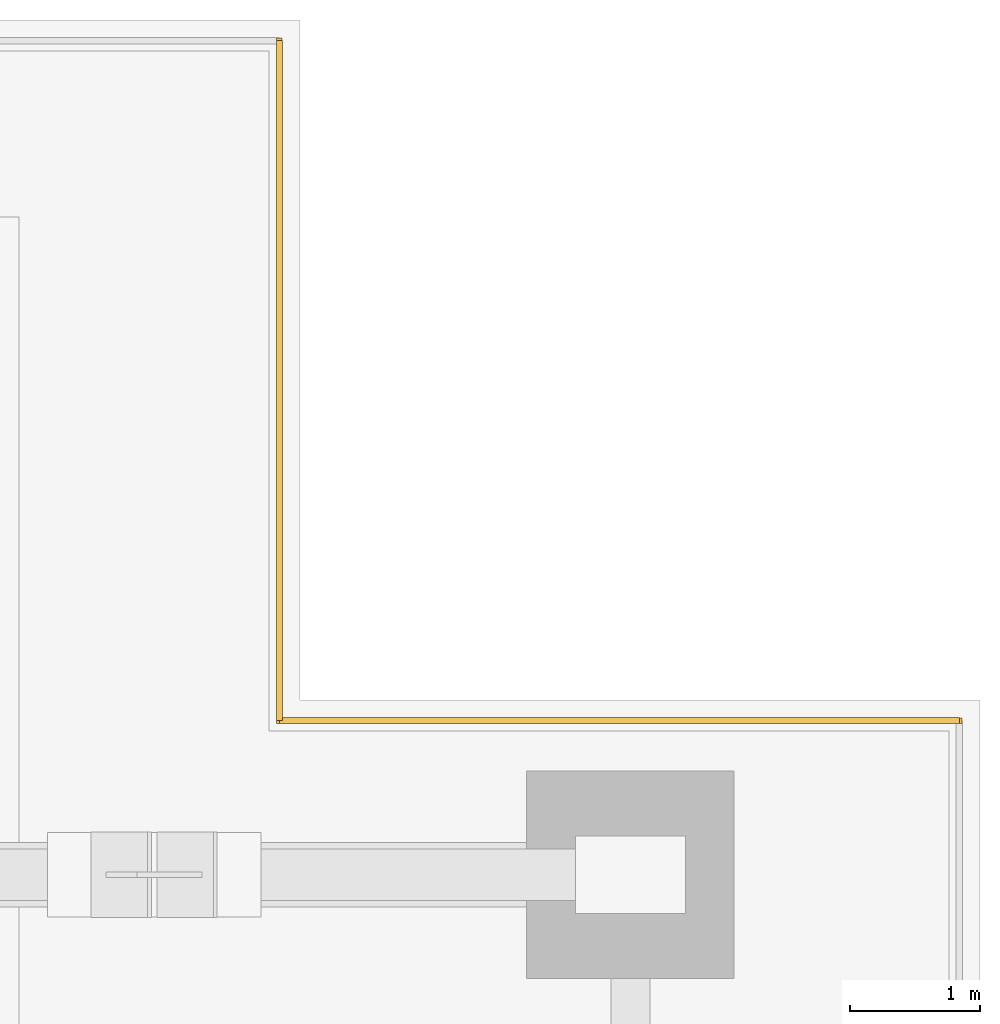
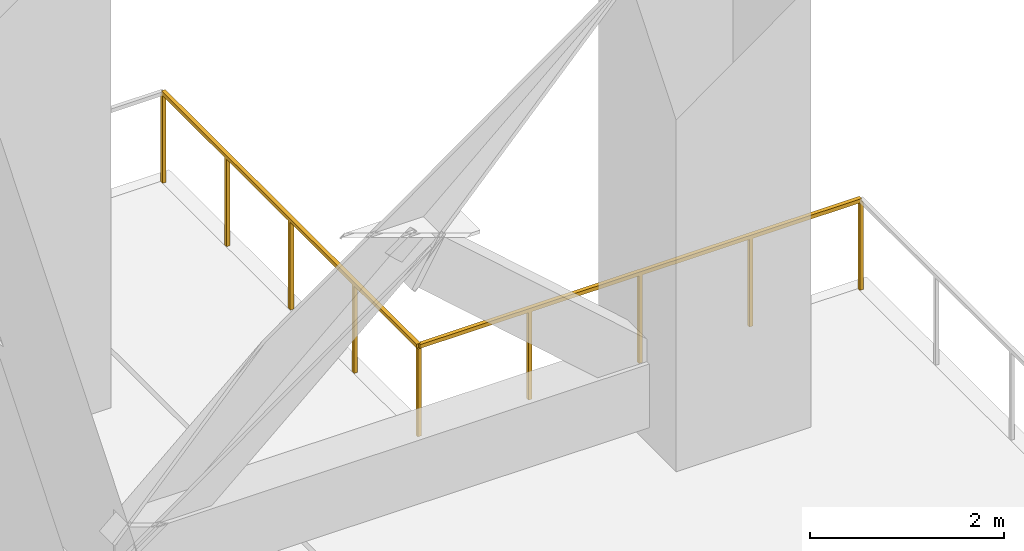
# One storey, part 8 of 9: 2 railings.
"""IFC4 building model written with IfcOpenShell, lengths in metres."""

import ifcopenshell
import ifcopenshell.guid

model = None  # the IFC model being written
_history = None  # IfcOwnerHistory: only IFC2X3 demands one
_inside = {}  # id of a spatial element -> (the spatial element, [elements in it])
_under = {}  # id of a project, library or spatial element -> (it, [spatial elements below it])
_declared = {}  # id of a project -> (the project, [libraries it declares])
_typed = {}  # id of a type object -> (the type object, [elements of that type])
_made_of = {}  # id of a material, layer set ... -> (it, [elements and type objects made of it])


def new_model(schema):
    """Start an empty IFC model of exactly this schema.

    Asked for "IFC4X3", IfcOpenShell would pick the latest addendum, in which some entities
    have other attributes; the version numbers below select the first issue.
    IFC2X3 requires an IfcOwnerHistory on every rooted entity: one is made here for all.
    """
    global model, _history
    if schema == "IFC4X3":
        model = ifcopenshell.file(schema_version=(4, 3, 0, 0))
    else:
        model = ifcopenshell.file(schema=schema)
    _inside.clear()
    _under.clear()
    _declared.clear()
    _typed.clear()
    _made_of.clear()
    _history = None
    if model.schema == "IFC2X3":
        org = make("IfcOrganization", Name="unknown")
        user = make(
            "IfcPersonAndOrganization",
            ThePerson=make("IfcPerson", FamilyName="unknown"),
            TheOrganization=org,
        )
        app = make(
            "IfcApplication",
            ApplicationDeveloper=org,
            Version="unknown",
            ApplicationFullName="unknown",
            ApplicationIdentifier="unknown",
        )
        _history = make(
            "IfcOwnerHistory",
            OwningUser=user,
            OwningApplication=app,
            ChangeAction="ADDED",
            CreationDate=0,
        )
    return model


def make(cls, **values):
    """One entity of the class cls with the attributes given. An attribute that is None is left unset."""
    return model.create_entity(
        cls, **{name: value for name, value in values.items() if value is not None}
    )


def rooted(cls, **values):
    """An entity with a GlobalId (a new one), such as an element, a storey or a relation."""
    return make(cls, GlobalId=ifcopenshell.guid.new(), OwnerHistory=_history, **values)


def si_unit(unit_type, name, prefix=None):
    """IfcSIUnit, for example si_unit("LENGTHUNIT", "METRE", prefix="MILLI")."""
    return make("IfcSIUnit", UnitType=unit_type, Prefix=prefix, Name=name)


def assignment(units):
    """IfcUnitAssignment: the units of a project."""
    return None if units is None else make("IfcUnitAssignment", Units=units)


def point(xyz):
    """IfcCartesianPoint."""
    return None if xyz is None else make("IfcCartesianPoint", Coordinates=xyz)


def direction(xyz):
    """IfcDirection."""
    return None if xyz is None else make("IfcDirection", DirectionRatios=xyz)


def frame(location, z_axis=None, x_axis=None):
    """IfcAxis2Placement3D, a coordinate frame: its origin and axes. An axis left out is left unset."""
    return make(
        "IfcAxis2Placement3D",
        Location=point(location),
        Axis=direction(z_axis),
        RefDirection=direction(x_axis),
    )


def frame_2d(location, x_axis=None):
    """IfcAxis2Placement2D, a coordinate frame in the plane: its origin and x axis."""
    return make(
        "IfcAxis2Placement2D", Location=point(location), RefDirection=direction(x_axis)
    )


def origin():
    """The frame at (0, 0, 0) with its axes left unset."""
    return frame((0.0, 0.0, 0.0))


def origin_2d():
    """The frame at (0, 0) in the plane with its x axis left unset."""
    return frame_2d((0.0, 0.0))


def place(relative_to, where):
    """IfcLocalPlacement: puts the frame where relative to a parent placement (None: the world)."""
    return make(
        "IfcLocalPlacement", PlacementRelTo=relative_to, RelativePlacement=where
    )


def context(
    kind, dimensions, precision=None, world=None, true_north=None, identifier=None
):
    """IfcGeometricRepresentationContext, for example the 3D "Model" context."""
    return make(
        "IfcGeometricRepresentationContext",
        ContextIdentifier=identifier,
        ContextType=kind,
        CoordinateSpaceDimension=dimensions,
        Precision=precision,
        WorldCoordinateSystem=world,
        TrueNorth=true_north,
    )


def subcontext(parent, identifier, kind, view, scale=None):
    """IfcGeometricRepresentationSubContext, for example "Body" below "Model"."""
    return make(
        "IfcGeometricRepresentationSubContext",
        ContextIdentifier=identifier,
        ContextType=kind,
        ParentContext=parent,
        TargetScale=scale,
        TargetView=view,
    )


def project(units=None, contexts=None):
    """IfcProject with its units and contexts."""
    return rooted(
        "IfcProject",
        Name="project",
        RepresentationContexts=contexts,
        UnitsInContext=assignment(units),
    )


def spatial(cls, under=None, at=None, **own):
    """A site, building, storey or space (cls), placed at a placement, below another one or the project."""
    s = rooted(cls, ObjectPlacement=at, **own)
    if under is not None:
        _under.setdefault(under.id(), (under, []))[1].append(s)
    return s


def profile(cls, at=None, kind="AREA", **sizes):
    """A parametric profile (cls). Its sizes go by their IFC names, for example OverallWidth=200.0."""
    return make(cls, ProfileType=kind, Position=at, **sizes)


def rectangle(**sizes):
    """IfcRectangleProfileDef."""
    return profile("IfcRectangleProfileDef", **sizes)


def extrude(swept, where, along, depth):
    """IfcExtrudedAreaSolid: the profile swept, set in the frame where, extruded along a direction by depth."""
    return make(
        "IfcExtrudedAreaSolid",
        SweptArea=swept,
        Position=where,
        ExtrudedDirection=direction(along),
        Depth=depth,
    )


def shape(context_of_items, identifier, shape_type, items):
    """IfcShapeRepresentation: the items that make up one representation, for example the "Body"."""
    return make(
        "IfcShapeRepresentation",
        ContextOfItems=context_of_items,
        RepresentationIdentifier=identifier,
        RepresentationType=shape_type,
        Items=items,
    )


def material(Name=None, Category=None):
    """IfcMaterial."""
    return make("IfcMaterial", Name=Name, Category=Category)


def made_of(thing, what):
    """Note that an element or type object is made of a material, layer set ...; save() writes the relation."""
    if what is not None:
        _made_of.setdefault(what.id(), (what, []))[1].append(thing)
    return thing


def type_object(cls, material=None, **own):
    """A type object (cls), such as IfcWallType, which elements share."""
    return made_of(rooted(cls, **own), material)


def element(
    cls,
    number,
    at=None,
    inside=None,
    cuts=None,
    type_object=None,
    material=None,
    context=None,
    identifier="Body",
    shape_type=None,
    held_by="IfcProductDefinitionShape",
    body=None,
    shapes=None,
    **own,
):
    """One element of the class cls, such as IfcWall. Its Tag is "e" and its number.

    at: its placement. inside: the storey or other place that contains it. cuts: it is an
    opening in that element (IfcRelVoidsElement). A single representation is given by context,
    identifier, shape_type and body (its items); several are given by shapes. held_by: the class
    of the entity that holds the representations. save() writes the other relations.
    """
    e = rooted(cls, Tag="e%d" % number, ObjectPlacement=at, **own)
    if body is not None:
        shapes = [shape(context, identifier, shape_type, body)]
    if shapes is not None:
        e.Representation = make(held_by, Representations=shapes)
    if inside is not None:
        _inside.setdefault(inside.id(), (inside, []))[1].append(e)
    if cuts is not None:
        rooted(
            "IfcRelVoidsElement", RelatingBuildingElement=cuts, RelatedOpeningElement=e
        )
    if type_object is not None:
        _typed.setdefault(type_object.id(), (type_object, []))[1].append(e)
    return made_of(e, material)


def aggregate(whole, parts):
    """IfcRelAggregates: a whole, such as a stair, and the parts it consists of."""
    return rooted("IfcRelAggregates", RelatingObject=whole, RelatedObjects=parts)


def save(model, path):
    """Write the relations noted so far, then the file.

    IfcRelAggregates (storeys below a building ...), IfcRelContainedInSpatialStructure (elements
    in a storey), IfcRelDefinesByType, IfcRelAssociatesMaterial and IfcRelDeclares: one each for
    every whole, place, type object, material and project.
    """
    for whole, parts in _under.values():
        aggregate(whole, parts)
    for where, things in _inside.values():
        rooted(
            "IfcRelContainedInSpatialStructure",
            RelatedElements=things,
            RelatingStructure=where,
        )
    for kind, things in _typed.values():
        rooted("IfcRelDefinesByType", RelatedObjects=things, RelatingType=kind)
    for what, things in _made_of.values():
        rooted("IfcRelAssociatesMaterial", RelatedObjects=things, RelatingMaterial=what)
    for by, libraries in _declared.values():
        rooted("IfcRelDeclares", RelatingContext=by, RelatedDefinitions=libraries)
    model.write(path)


model = new_model("IFC4")

# Units and contexts
model_context = context("Model", 3, precision=1e-05, world=origin(), true_north=direction((0.0, 1.0)))
body_context = subcontext(model_context, "Body", "Model", "MODEL_VIEW")
ifc_project = project(units=[si_unit("LENGTHUNIT", "METRE"), si_unit("AREAUNIT", "SQUARE_METRE"), si_unit("VOLUMEUNIT", "CUBIC_METRE"), si_unit("PLANEANGLEUNIT", "RADIAN"), si_unit("MASSUNIT", "GRAM", prefix="KILO")], contexts=[model_context])

# Site, building, storey
site_placement = place(None, origin())
site = spatial("IfcSite", under=ifc_project, at=site_placement, CompositionType="ELEMENT")
building_placement = place(site_placement, origin())
building = spatial("IfcBuilding", under=site, at=building_placement, Name="Sumidabori Civic Tower", CompositionType="ELEMENT")
storey_placement = place(building_placement, frame((0.0, 0.0, 124.39990234375)))
storey = spatial("IfcBuildingStorey", under=building, at=storey_placement, Name="L32", CompositionType="ELEMENT", Elevation=124.39990234375)

# Railings
ifc_material = material(Name="Anodised Bronze Aluminium AW-6063-T6", Category="aluminium")
railing_type = type_object("IfcRailingType", Name="RL-BAL-1150", PredefinedType="BALUSTRADE", material=ifc_material)
railing_1_placement = place(storey_placement, frame((20.090087890625, 25.239990234375, 0.0)))
element("IfcRailing", 1, at=railing_1_placement, inside=storey, type_object=railing_type, Name="Wind-Slot Refuge Portal Safety Guard L32-07", PredefinedType="BALUSTRADE", context=body_context, shape_type="SweptSolid", body=[
    extrude(rectangle(XDim=0.048095703125, YDim=0.048095703125, at=origin_2d()), frame((0.0, 0.0, 1.1259765625), z_axis=(0.0, -1.0, 0.0), x_axis=(1.0, 0.0, 0.0)), (0.0, 0.0, 1.0), 5.25),
    extrude(rectangle(XDim=0.0419921875, YDim=0.0419921875, at=origin_2d()), origin(), (0.0, 0.0, 1.0), 1.101806640625),
    extrude(rectangle(XDim=0.0419921875, YDim=0.0419921875, at=origin_2d()), frame((0.0, -1.3125, 0.0)), (0.0, 0.0, 1.0), 1.101806640625),
    extrude(rectangle(XDim=0.0419921875, YDim=0.0419921875, at=origin_2d()), frame((0.0, -2.625, 0.0)), (0.0, 0.0, 1.0), 1.101806640625),
    extrude(rectangle(XDim=0.0419921875, YDim=0.0419921875, at=origin_2d()), frame((0.0, -3.9375, 0.0)), (0.0, 0.0, 1.0), 1.101806640625),
    extrude(rectangle(XDim=0.0419921875, YDim=0.0419921875, at=origin_2d()), frame((0.0, -5.25, 0.0)), (0.0, 0.0, 1.0), 1.101806640625),
])
railing_2_placement = place(storey_placement, frame((20.090087890625, 19.989990234375, 0.0)))
element("IfcRailing", 2, at=railing_2_placement, inside=storey, type_object=railing_type, Name="Wind-Slot Refuge Portal Safety Guard L32-08", PredefinedType="BALUSTRADE", context=body_context, shape_type="SweptSolid", body=[
    extrude(rectangle(XDim=0.048095703125, YDim=0.048095703125, at=origin_2d()), frame((0.0, 0.0, 1.1259765625), z_axis=(1.0, 0.0, 0.0), x_axis=(0.0, 1.0, 0.0)), (0.0, 0.0, 1.0), 5.25),
    extrude(rectangle(XDim=0.0419921875, YDim=0.0419921875, at=origin_2d()), origin(), (0.0, 0.0, 1.0), 1.101806640625),
    extrude(rectangle(XDim=0.0419921875, YDim=0.0419921875, at=origin_2d()), frame((1.3125, 0.0, 0.0)), (0.0, 0.0, 1.0), 1.101806640625),
    extrude(rectangle(XDim=0.0419921875, YDim=0.0419921875, at=origin_2d()), frame((2.625, 0.0, 0.0)), (0.0, 0.0, 1.0), 1.101806640625),
    extrude(rectangle(XDim=0.0419921875, YDim=0.0419921875, at=origin_2d()), frame((3.9375, 0.0, 0.0)), (0.0, 0.0, 1.0), 1.101806640625),
    extrude(rectangle(XDim=0.0419921875, YDim=0.0419921875, at=origin_2d()), frame((5.25, 0.0, 0.0)), (0.0, 0.0, 1.0), 1.101806640625),
])

save(model, "model.ifc")
